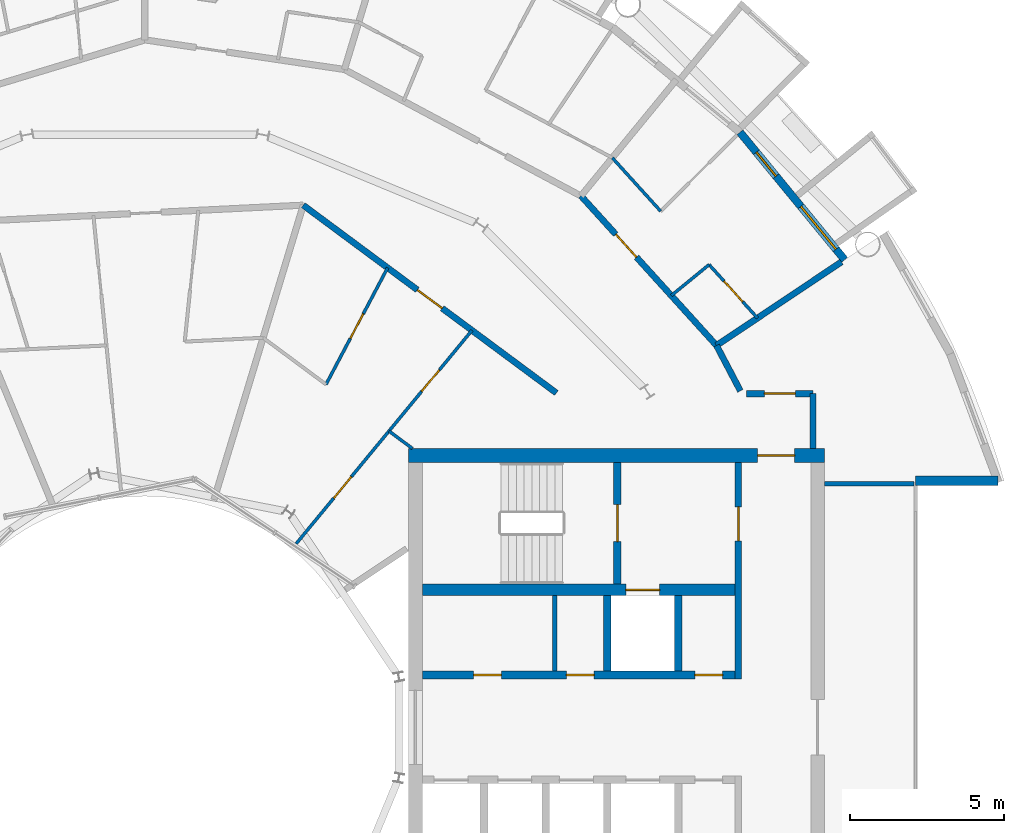
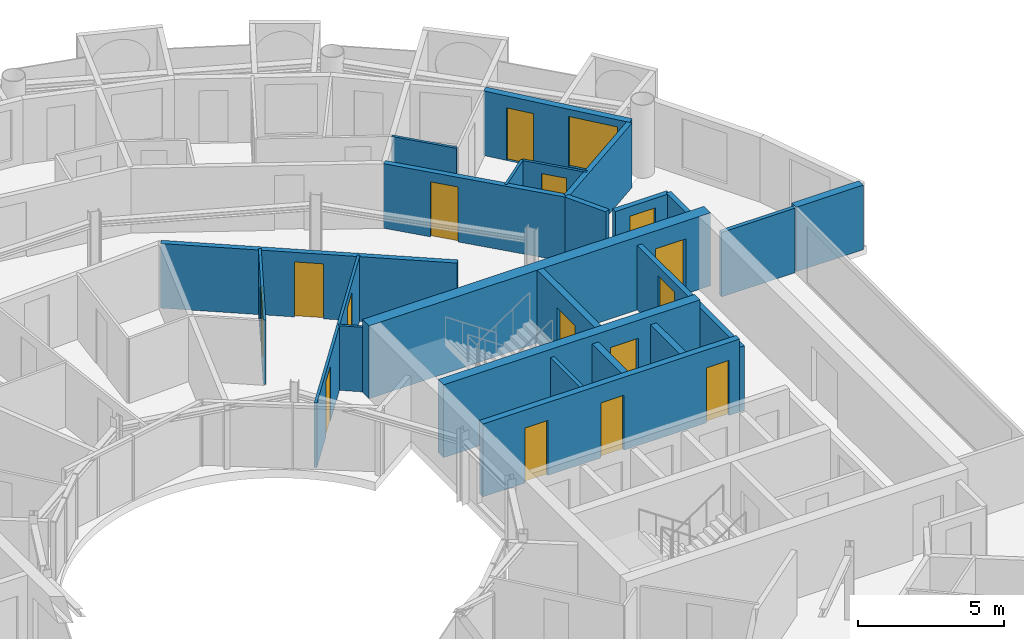
# One storey, part 23 of 29: 23 walls, 15 doors, 1 window, 16 openings.
"""IFC4 building model written with IfcOpenShell, lengths in metres."""

import ifcopenshell
import ifcopenshell.guid

model = None  # the IFC model being written
_history = None  # IfcOwnerHistory: only IFC2X3 demands one
_inside = {}  # id of a spatial element -> (the spatial element, [elements in it])
_under = {}  # id of a project, library or spatial element -> (it, [spatial elements below it])
_declared = {}  # id of a project -> (the project, [libraries it declares])
_typed = {}  # id of a type object -> (the type object, [elements of that type])
_made_of = {}  # id of a material, layer set ... -> (it, [elements and type objects made of it])


def new_model(schema):
    """Start an empty IFC model of exactly this schema.

    Asked for "IFC4X3", IfcOpenShell would pick the latest addendum, in which some entities
    have other attributes; the version numbers below select the first issue.
    IFC2X3 requires an IfcOwnerHistory on every rooted entity: one is made here for all.
    """
    global model, _history
    if schema == "IFC4X3":
        model = ifcopenshell.file(schema_version=(4, 3, 0, 0))
    else:
        model = ifcopenshell.file(schema=schema)
    _inside.clear()
    _under.clear()
    _declared.clear()
    _typed.clear()
    _made_of.clear()
    _history = None
    if model.schema == "IFC2X3":
        org = make("IfcOrganization", Name="unknown")
        user = make(
            "IfcPersonAndOrganization",
            ThePerson=make("IfcPerson", FamilyName="unknown"),
            TheOrganization=org,
        )
        app = make(
            "IfcApplication",
            ApplicationDeveloper=org,
            Version="unknown",
            ApplicationFullName="unknown",
            ApplicationIdentifier="unknown",
        )
        _history = make(
            "IfcOwnerHistory",
            OwningUser=user,
            OwningApplication=app,
            ChangeAction="ADDED",
            CreationDate=0,
        )
    return model


def make(cls, **values):
    """One entity of the class cls with the attributes given. An attribute that is None is left unset."""
    return model.create_entity(
        cls, **{name: value for name, value in values.items() if value is not None}
    )


def rooted(cls, **values):
    """An entity with a GlobalId (a new one), such as an element, a storey or a relation."""
    return make(cls, GlobalId=ifcopenshell.guid.new(), OwnerHistory=_history, **values)


def si_unit(unit_type, name, prefix=None):
    """IfcSIUnit, for example si_unit("LENGTHUNIT", "METRE", prefix="MILLI")."""
    return make("IfcSIUnit", UnitType=unit_type, Prefix=prefix, Name=name)


def assignment(units):
    """IfcUnitAssignment: the units of a project."""
    return None if units is None else make("IfcUnitAssignment", Units=units)


def point(xyz):
    """IfcCartesianPoint."""
    return None if xyz is None else make("IfcCartesianPoint", Coordinates=xyz)


def direction(xyz):
    """IfcDirection."""
    return None if xyz is None else make("IfcDirection", DirectionRatios=xyz)


def frame(location, z_axis=None, x_axis=None):
    """IfcAxis2Placement3D, a coordinate frame: its origin and axes. An axis left out is left unset."""
    return make(
        "IfcAxis2Placement3D",
        Location=point(location),
        Axis=direction(z_axis),
        RefDirection=direction(x_axis),
    )


def frame_2d(location, x_axis=None):
    """IfcAxis2Placement2D, a coordinate frame in the plane: its origin and x axis."""
    return make(
        "IfcAxis2Placement2D", Location=point(location), RefDirection=direction(x_axis)
    )


def origin():
    """The frame at (0, 0, 0) with its axes left unset."""
    return frame((0.0, 0.0, 0.0))


def place(relative_to, where):
    """IfcLocalPlacement: puts the frame where relative to a parent placement (None: the world)."""
    return make(
        "IfcLocalPlacement", PlacementRelTo=relative_to, RelativePlacement=where
    )


def context(
    kind, dimensions, precision=None, world=None, true_north=None, identifier=None
):
    """IfcGeometricRepresentationContext, for example the 3D "Model" context."""
    return make(
        "IfcGeometricRepresentationContext",
        ContextIdentifier=identifier,
        ContextType=kind,
        CoordinateSpaceDimension=dimensions,
        Precision=precision,
        WorldCoordinateSystem=world,
        TrueNorth=true_north,
    )


def subcontext(parent, identifier, kind, view, scale=None):
    """IfcGeometricRepresentationSubContext, for example "Body" below "Model"."""
    return make(
        "IfcGeometricRepresentationSubContext",
        ContextIdentifier=identifier,
        ContextType=kind,
        ParentContext=parent,
        TargetScale=scale,
        TargetView=view,
    )


def project(units=None, contexts=None):
    """IfcProject with its units and contexts."""
    return rooted(
        "IfcProject",
        Name="project",
        RepresentationContexts=contexts,
        UnitsInContext=assignment(units),
    )


def spatial(cls, under=None, at=None, **own):
    """A site, building, storey or space (cls), placed at a placement, below another one or the project."""
    s = rooted(cls, ObjectPlacement=at, **own)
    if under is not None:
        _under.setdefault(under.id(), (under, []))[1].append(s)
    return s


def profile(cls, at=None, kind="AREA", **sizes):
    """A parametric profile (cls). Its sizes go by their IFC names, for example OverallWidth=200.0."""
    return make(cls, ProfileType=kind, Position=at, **sizes)


def rectangle(**sizes):
    """IfcRectangleProfileDef."""
    return profile("IfcRectangleProfileDef", **sizes)


def extrude(swept, where, along, depth):
    """IfcExtrudedAreaSolid: the profile swept, set in the frame where, extruded along a direction by depth."""
    return make(
        "IfcExtrudedAreaSolid",
        SweptArea=swept,
        Position=where,
        ExtrudedDirection=direction(along),
        Depth=depth,
    )


def shape(context_of_items, identifier, shape_type, items):
    """IfcShapeRepresentation: the items that make up one representation, for example the "Body"."""
    return make(
        "IfcShapeRepresentation",
        ContextOfItems=context_of_items,
        RepresentationIdentifier=identifier,
        RepresentationType=shape_type,
        Items=items,
    )


def material(Name=None, Category=None):
    """IfcMaterial."""
    return make("IfcMaterial", Name=Name, Category=Category)


def layer(
    of_material, thickness, ventilated=None, Name=None, Category=None, Priority=None
):
    """IfcMaterialLayer: one layer of a wall or slab, of a material (None: an air gap)."""
    return make(
        "IfcMaterialLayer",
        Material=of_material,
        LayerThickness=thickness,
        IsVentilated=ventilated,
        Name=Name,
        Category=Category,
        Priority=Priority,
    )


def layer_set(layers, Name=None):
    """IfcMaterialLayerSet."""
    return make("IfcMaterialLayerSet", MaterialLayers=layers, LayerSetName=Name)


def made_of(thing, what):
    """Note that an element or type object is made of a material, layer set ...; save() writes the relation."""
    if what is not None:
        _made_of.setdefault(what.id(), (what, []))[1].append(thing)
    return thing


def type_object(cls, material=None, **own):
    """A type object (cls), such as IfcWallType, which elements share."""
    return made_of(rooted(cls, **own), material)


def element(
    cls,
    number,
    at=None,
    inside=None,
    cuts=None,
    type_object=None,
    material=None,
    context=None,
    identifier="Body",
    shape_type=None,
    held_by="IfcProductDefinitionShape",
    body=None,
    shapes=None,
    **own,
):
    """One element of the class cls, such as IfcWall. Its Tag is "e" and its number.

    at: its placement. inside: the storey or other place that contains it. cuts: it is an
    opening in that element (IfcRelVoidsElement). A single representation is given by context,
    identifier, shape_type and body (its items); several are given by shapes. held_by: the class
    of the entity that holds the representations. save() writes the other relations.
    """
    e = rooted(cls, Tag="e%d" % number, ObjectPlacement=at, **own)
    if body is not None:
        shapes = [shape(context, identifier, shape_type, body)]
    if shapes is not None:
        e.Representation = make(held_by, Representations=shapes)
    if inside is not None:
        _inside.setdefault(inside.id(), (inside, []))[1].append(e)
    if cuts is not None:
        rooted(
            "IfcRelVoidsElement", RelatingBuildingElement=cuts, RelatedOpeningElement=e
        )
    if type_object is not None:
        _typed.setdefault(type_object.id(), (type_object, []))[1].append(e)
    return made_of(e, material)


def fill(opening, filler):
    """IfcRelFillsElement: the door or window that sits in an opening."""
    return rooted(
        "IfcRelFillsElement",
        RelatingOpeningElement=opening,
        RelatedBuildingElement=filler,
    )


def aggregate(whole, parts):
    """IfcRelAggregates: a whole, such as a stair, and the parts it consists of."""
    return rooted("IfcRelAggregates", RelatingObject=whole, RelatedObjects=parts)


def save(model, path):
    """Write the relations noted so far, then the file.

    IfcRelAggregates (storeys below a building ...), IfcRelContainedInSpatialStructure (elements
    in a storey), IfcRelDefinesByType, IfcRelAssociatesMaterial and IfcRelDeclares: one each for
    every whole, place, type object, material and project.
    """
    for whole, parts in _under.values():
        aggregate(whole, parts)
    for where, things in _inside.values():
        rooted(
            "IfcRelContainedInSpatialStructure",
            RelatedElements=things,
            RelatingStructure=where,
        )
    for kind, things in _typed.values():
        rooted("IfcRelDefinesByType", RelatedObjects=things, RelatingType=kind)
    for what, things in _made_of.values():
        rooted("IfcRelAssociatesMaterial", RelatedObjects=things, RelatingMaterial=what)
    for by, libraries in _declared.values():
        rooted("IfcRelDeclares", RelatingContext=by, RelatedDefinitions=libraries)
    model.write(path)


model = new_model("IFC4")

# Units and contexts
model_context = context("Model", 3, precision=1e-05, world=origin(), true_north=direction((0.0, 1.0)))
body_context = subcontext(model_context, "Body", "Model", "MODEL_VIEW")
ifc_project = project(units=[si_unit("LENGTHUNIT", "METRE"), si_unit("AREAUNIT", "SQUARE_METRE"), si_unit("VOLUMEUNIT", "CUBIC_METRE"), si_unit("PLANEANGLEUNIT", "RADIAN"), si_unit("MASSUNIT", "GRAM", prefix="KILO")], contexts=[model_context])

# Site, building, storey
site_placement = place(None, origin())
site = spatial("IfcSite", under=ifc_project, at=site_placement, CompositionType="ELEMENT")
building_placement = place(site_placement, origin())
building = spatial("IfcBuilding", under=site, at=building_placement, Name="Maasbend Ring Residences", CompositionType="ELEMENT")
storey_placement = place(building_placement, frame((0.0, 0.0, 202.39990234375)))
storey = spatial("IfcBuildingStorey", under=building, at=storey_placement, Name="L58", CompositionType="ELEMENT", Elevation=202.39990234375)

# Wall, openings, doors
ifc_material_1 = material(Name="Concrete C50/60", Category="concrete")
ifc_layer_1 = layer(ifc_material_1, 0.25)
ifc_layer_set_1 = layer_set([ifc_layer_1], Name="Concrete C50/60")
wall_type_1 = type_object("IfcWallType", Name="CORE WALL 250 C50/60", PredefinedType="SHEAR", material=ifc_layer_set_1)
wall_1_placement = place(storey_placement, frame((9.0, 1.699951171875, 0.0), z_axis=(0.0, 0.0, 1.0), x_axis=(1.0, 0.0, 0.0)))
wall_1 = element("IfcWall", 1, at=wall_1_placement, inside=storey, type_object=wall_type_1, Name="L58 core E wall SPN", PredefinedType="SHEAR", context=body_context, shape_type="SweptSolid", body=[
    extrude(rectangle(XDim=10.14990234375, YDim=0.25, at=frame_2d((5.074951171875, 0.0))), origin(), (0.0, 0.0, 1.0), 3.050048828125),
])
opening_1_placement = place(wall_1_placement, frame((1.66259765625, 0.0, 0.0)))
opening_1 = element("IfcOpeningElement", 2, at=opening_1_placement, cuts=wall_1, Name="Opening D-E5806", PredefinedType="OPENING", context=body_context, shape_type="SweptSolid", body=[
    extrude(rectangle(XDim=0.89990234375, YDim=2.300048828125, at=frame_2d((0.449951171875, 1.14990234375))), frame((0.0, 0.135009765625, 0.0), z_axis=(0.0, -1.0, 0.0), x_axis=(1.0, 0.0, 0.0)), (0.0, 0.0, 1.0), 0.27001953125),
])
opening_2_placement = place(wall_1_placement, frame((4.675048828125, 0.0, 0.0)))
opening_2 = element("IfcOpeningElement", 3, at=opening_2_placement, cuts=wall_1, Name="Opening D-E5807", PredefinedType="OPENING", context=body_context, shape_type="SweptSolid", body=[
    extrude(rectangle(XDim=0.89990234375, YDim=2.300048828125, at=frame_2d((0.449951171875, 1.14990234375))), frame((0.0, 0.135009765625, 0.0), z_axis=(0.0, -1.0, 0.0), x_axis=(1.0, 0.0, 0.0)), (0.0, 0.0, 1.0), 0.27001953125),
])
opening_3_placement = place(wall_1_placement, frame((8.83740234375, 0.0, 0.0)))
opening_3 = element("IfcOpeningElement", 4, at=opening_3_placement, cuts=wall_1, Name="Opening D-E5808", PredefinedType="OPENING", context=body_context, shape_type="SweptSolid", body=[
    extrude(rectangle(XDim=0.89990234375, YDim=2.300048828125, at=frame_2d((0.449951171875, 1.14990234375))), frame((0.0, 0.135009765625, 0.0), z_axis=(0.0, -1.0, 0.0), x_axis=(1.0, 0.0, 0.0)), (0.0, 0.0, 1.0), 0.27001953125),
])
ifc_material_2 = material(Name="Steel, powder coated", Category="steel")
door_type_1 = type_object("IfcDoorType", Name="ROOM DOOR 900 X 2300 FD30S", OperationType="NOTDEFINED", PredefinedType="DOOR", material=ifc_material_2)
door_1_placement = place(opening_1_placement, origin())
door_1 = element("IfcDoor", 5, at=door_1_placement, inside=storey, type_object=door_type_1, Name="Room door L58", OperationType="SINGLE_SWING_RIGHT", OverallHeight=2.300048828125, OverallWidth=0.89990234375, PredefinedType="DOOR", context=body_context, shape_type="SweptSolid", body=[
    extrude(rectangle(XDim=0.89990234375, YDim=2.300048828125, at=frame_2d((0.449951171875, 1.14990234375))), frame((0.0, 0.02490234375, 0.0), z_axis=(0.0, -1.0, 0.0), x_axis=(1.0, 0.0, 0.0)), (0.0, 0.0, 1.0), 0.050048828125),
])
fill(opening_1, door_1)
door_2_placement = place(opening_2_placement, origin())
door_2 = element("IfcDoor", 6, at=door_2_placement, inside=storey, type_object=door_type_1, Name="Room door L58", OperationType="SINGLE_SWING_LEFT", OverallHeight=2.300048828125, OverallWidth=0.89990234375, PredefinedType="DOOR", context=body_context, shape_type="SweptSolid", body=[
    extrude(rectangle(XDim=0.89990234375, YDim=2.300048828125, at=frame_2d((0.449951171875, 1.14990234375))), frame((0.0, 0.02490234375, 0.0), z_axis=(0.0, -1.0, 0.0), x_axis=(1.0, 0.0, 0.0)), (0.0, 0.0, 1.0), 0.050048828125),
])
fill(opening_2, door_2)
door_3_placement = place(opening_3_placement, origin())
door_3 = element("IfcDoor", 7, at=door_3_placement, inside=storey, type_object=door_type_1, Name="Room door L58", OperationType="SINGLE_SWING_LEFT", OverallHeight=2.300048828125, OverallWidth=0.89990234375, PredefinedType="DOOR", context=body_context, shape_type="SweptSolid", body=[
    extrude(rectangle(XDim=0.89990234375, YDim=2.300048828125, at=frame_2d((0.449951171875, 1.14990234375))), frame((0.0, 0.02490234375, 0.0), z_axis=(0.0, -1.0, 0.0), x_axis=(1.0, 0.0, 0.0)), (0.0, 0.0, 1.0), 0.050048828125),
])
fill(opening_3, door_3)

# Wall, opening, door
wall_2_placement = place(storey_placement, frame((15.324951171875, 4.64990234375, 0.0), z_axis=(0.0, 0.0, 1.0), x_axis=(0.0, 1.0, 0.0)))
wall_2 = element("IfcWall", 8, at=wall_2_placement, inside=storey, type_object=wall_type_1, Name="L58 core E wall STEN", PredefinedType="SHEAR", context=body_context, shape_type="SweptSolid", body=[
    extrude(rectangle(XDim=3.9501953125, YDim=0.25, at=frame_2d((1.97509765625, 0.0))), origin(), (0.0, 0.0, 1.0), 3.050048828125),
])
opening_4_placement = place(wall_2_placement, frame((1.375, 0.0, 0.0)))
opening_4 = element("IfcOpeningElement", 9, at=opening_4_placement, cuts=wall_2, Name="Opening D-E5811", PredefinedType="OPENING", context=body_context, shape_type="SweptSolid", body=[
    extrude(rectangle(XDim=1.199951171875, YDim=2.300048828125, at=frame_2d((0.60009765625, 1.14990234375))), frame((0.0, 0.135009765625, 0.0), z_axis=(0.0, -1.0, 0.0), x_axis=(1.0, 0.0, 0.0)), (0.0, 0.0, 1.0), 0.27001953125),
])
ifc_material_3 = material(Name="Steel, powder coated", Category="steel")
door_type_2 = type_object("IfcDoorType", Name="STAIR DOOR 1200 X 2300 FD60", OperationType="NOTDEFINED", PredefinedType="DOOR", material=ifc_material_3)
door_4_placement = place(opening_4_placement, origin())
door_4 = element("IfcDoor", 10, at=door_4_placement, inside=storey, type_object=door_type_2, Name="Stair door ST-E L58", OperationType="SINGLE_SWING_LEFT", OverallHeight=2.300048828125, OverallWidth=1.199951171875, PredefinedType="DOOR", context=body_context, shape_type="SweptSolid", body=[
    extrude(rectangle(XDim=1.199951171875, YDim=2.300048828125, at=frame_2d((0.60009765625, 1.14990234375))), frame((0.0, 0.02490234375, 0.0), z_axis=(0.0, -1.0, 0.0), x_axis=(1.0, 0.0, 0.0)), (0.0, 0.0, 1.0), 0.050048828125),
])
fill(opening_4, door_4)

ifc_material_4 = material(Name="Concrete C50/60", Category="concrete")
ifc_layer_2 = layer(ifc_material_4, 0.375)
ifc_layer_set_2 = layer_set([ifc_layer_2], Name="Concrete C50/60")
wall_type_2 = type_object("IfcWallType", Name="CORE WALL 375 C50/60", PredefinedType="SHEAR", material=ifc_layer_set_2)
wall_3_placement = place(storey_placement, frame((9.0, 4.46240234375, 0.0), z_axis=(0.0, 0.0, 1.0), x_axis=(1.0, 0.0, 0.0)))
wall_3 = element("IfcWall", 11, at=wall_3_placement, inside=storey, type_object=wall_type_2, Name="L58 core E wall BN", PredefinedType="SHEAR", context=body_context, shape_type="SweptSolid", body=[
    extrude(rectangle(XDim=10.14990234375, YDim=0.375, at=frame_2d((5.074951171875, 0.0))), origin(), (0.0, 0.0, 1.0), 3.050048828125),
])
opening_5_placement = place(wall_3_placement, frame((6.60009765625, 0.0, 0.0)))
opening_5 = element("IfcOpeningElement", 12, at=opening_5_placement, cuts=wall_3, Name="Opening LD-E5801", PredefinedType="OPENING", context=body_context, shape_type="SweptSolid", body=[
    extrude(rectangle(XDim=1.10009765625, YDim=2.300048828125, at=frame_2d((0.550048828125, 1.14990234375))), frame((0.0, 0.197509765625, 0.0), z_axis=(0.0, -1.0, 0.0), x_axis=(1.0, 0.0, 0.0)), (0.0, 0.0, 1.0), 0.39501953125),
])
ifc_material_5 = material(Name="Stainless steel 316", Category="steel")
door_type_3 = type_object("IfcDoorType", Name="LANDING DOOR 1100 X 2300 FD60", OperationType="DOUBLE_DOOR_SLIDING", PredefinedType="DOOR", material=ifc_material_5)
door_5_placement = place(opening_5_placement, origin())
door_5 = element("IfcDoor", 13, at=door_5_placement, inside=storey, type_object=door_type_3, Name="Landing door FF-E L58", OperationType="DOUBLE_DOOR_SLIDING", OverallHeight=2.300048828125, OverallWidth=1.10009765625, PredefinedType="DOOR", context=body_context, shape_type="SweptSolid", body=[
    extrude(rectangle(XDim=1.10009765625, YDim=2.300048828125, at=frame_2d((0.550048828125, 1.14990234375))), frame((0.0, 0.02490234375, 0.0), z_axis=(0.0, -1.0, 0.0), x_axis=(1.0, 0.0, 0.0)), (0.0, 0.0, 1.0), 0.050048828125),
])
fill(opening_5, door_5)

ifc_material_6 = material(Name="Concrete C50/60", Category="concrete")
ifc_layer_3 = layer(ifc_material_6, 0.449951171875)
ifc_layer_set_3 = layer_set([ifc_layer_3], Name="Concrete C50/60")
wall_type_3 = type_object("IfcWallType", Name="CORE WALL 450 C50/60", PredefinedType="SHEAR", material=ifc_layer_set_3)
wall_4_placement = place(storey_placement, frame((22.050048828125, 8.824951171875, 0.0), z_axis=(0.0, 0.0, 1.0), x_axis=(-1.0, 0.0, 0.0)))
wall_4 = element("IfcWall", 14, at=wall_4_placement, inside=storey, type_object=wall_type_3, Name="L58 core E wall PN", PredefinedType="SHEAR", context=body_context, shape_type="SweptSolid", body=[
    extrude(rectangle(XDim=13.5, YDim=0.449951171875, at=frame_2d((6.75, 0.0))), origin(), (0.0, 0.0, 1.0), 3.050048828125),
])
opening_6_placement = place(wall_4_placement, frame((0.97509765625, 0.0, 0.0)))
opening_6 = element("IfcOpeningElement", 15, at=opening_6_placement, cuts=wall_4, Name="Opening D-E5815", PredefinedType="OPENING", context=body_context, shape_type="SweptSolid", body=[
    extrude(rectangle(XDim=1.199951171875, YDim=2.300048828125, at=frame_2d((0.60009765625, 1.14990234375))), frame((0.0, 0.23486328125, 0.0), z_axis=(0.0, -1.0, 0.0), x_axis=(1.0, 0.0, 0.0)), (0.0, 0.0, 1.0), 0.469970703125),
])
ifc_material_7 = material(Name="Steel, powder coated", Category="steel")
door_type_4 = type_object("IfcDoorType", Name="CORRIDOR DOOR 1200 X 2300 FD30S", OperationType="NOTDEFINED", PredefinedType="DOOR", material=ifc_material_7)
door_6_placement = place(opening_6_placement, origin())
door_6 = element("IfcDoor", 16, at=door_6_placement, inside=storey, type_object=door_type_4, Name="Corridor door L58", OperationType="SINGLE_SWING_RIGHT", OverallHeight=2.300048828125, OverallWidth=1.199951171875, PredefinedType="DOOR", context=body_context, shape_type="SweptSolid", body=[
    extrude(rectangle(XDim=1.199951171875, YDim=2.300048828125, at=frame_2d((0.60009765625, 1.14990234375))), frame((0.0, 0.02490234375, 0.0), z_axis=(0.0, -1.0, 0.0), x_axis=(1.0, 0.0, 0.0)), (0.0, 0.0, 1.0), 0.050048828125),
])
fill(opening_6, door_6)

# Wall
ifc_material_8 = material(Name="Concrete C30/37", Category="concrete")
ifc_layer_4 = layer(ifc_material_8, 0.199951171875)
ifc_layer_set_4 = layer_set([ifc_layer_4], Name="Concrete C30/37")
wall_type_4 = type_object("IfcWallType", Name="CORRIDOR WALL 200 CONCRETE", PredefinedType="PARTITIONING", material=ifc_layer_set_4)
wall_5_placement = place(storey_placement, frame((21.675048828125, 9.050048828125, 0.0), z_axis=(0.0, 0.0, 1.0), x_axis=(0.0, 1.0, 0.0)))
element("IfcWall", 17, at=wall_5_placement, inside=storey, type_object=wall_type_4, Name="U-L58-w013", PredefinedType="PARTITIONING", context=body_context, shape_type="SweptSolid", body=[
    extrude(rectangle(XDim=1.77490234375, YDim=0.199951171875, at=frame_2d((0.887451171875, 0.0))), origin(), (0.0, 0.0, 1.0), 2.7001953125),
])

# Wall, opening, door
wall_6_placement = place(storey_placement, frame((19.52294921875, 10.824951171875, 0.0), z_axis=(0.0, 0.0, 1.0), x_axis=(1.0, 0.0, 0.0)))
wall_6 = element("IfcWall", 18, at=wall_6_placement, inside=storey, type_object=wall_type_4, Name="U-L58-w094", PredefinedType="PARTITIONING", context=body_context, shape_type="SweptSolid", body=[
    extrude(rectangle(XDim=2.152099609375, YDim=0.199951171875, at=frame_2d((1.076171875, 0.0))), origin(), (0.0, 0.0, 1.0), 2.7001953125),
])
opening_7_placement = place(wall_6_placement, frame((0.575927734375, 0.0, 0.0)))
opening_7 = element("IfcOpeningElement", 19, at=opening_7_placement, cuts=wall_6, Name="Opening D-5871", PredefinedType="OPENING", context=body_context, shape_type="SweptSolid", body=[
    extrude(rectangle(XDim=1.0, YDim=2.300048828125, at=frame_2d((0.5, 1.14990234375))), frame((0.0, 0.10986328125, 0.0), z_axis=(0.0, -1.0, 0.0), x_axis=(1.0, 0.0, 0.0)), (0.0, 0.0, 1.0), 0.219970703125),
])
ifc_material_9 = material(Name="Timber, painted", Category="wood")
door_type_5 = type_object("IfcDoorType", Name="ROOM DOOR 1000 X 2300", OperationType="NOTDEFINED", PredefinedType="DOOR", material=ifc_material_9)
door_7_placement = place(opening_7_placement, origin())
door_7 = element("IfcDoor", 20, at=door_7_placement, inside=storey, type_object=door_type_5, Name="D-5871", OperationType="SINGLE_SWING_LEFT", OverallHeight=2.300048828125, OverallWidth=1.0, PredefinedType="DOOR", context=body_context, shape_type="SweptSolid", body=[
    extrude(rectangle(XDim=1.0, YDim=2.300048828125, at=frame_2d((0.5, 1.14990234375))), frame((0.0, 0.02490234375, 0.0), z_axis=(0.0, -1.0, 0.0), x_axis=(1.0, 0.0, 0.0)), (0.0, 0.0, 1.0), 0.050048828125),
])
fill(opening_7, door_7)

wall_7_placement = place(storey_placement, frame((5.136962890625, 16.93798828125, 0.0), z_axis=(0.0, 0.0, 1.0), x_axis=(0.803229232922, -0.595670042371, 0.0)))
wall_7 = element("IfcWall", 21, at=wall_7_placement, inside=storey, type_object=wall_type_4, Name="U-L58-w102", PredefinedType="PARTITIONING", context=body_context, shape_type="SweptSolid", body=[
    extrude(rectangle(XDim=10.223876953125, YDim=0.199951171875, at=frame_2d((5.11181640625, 0.0))), origin(), (0.0, 0.0, 1.0), 2.7001953125),
])
opening_8_placement = place(wall_7_placement, frame((4.612060546875, 0.0, 0.0)))
opening_8 = element("IfcOpeningElement", 22, at=opening_8_placement, cuts=wall_7, Name="Opening D-5821", PredefinedType="OPENING", context=body_context, shape_type="SweptSolid", body=[
    extrude(rectangle(XDim=1.0, YDim=2.300048828125, at=frame_2d((0.5, 1.14990234375))), frame((0.0, 0.10986328125, 0.0), z_axis=(0.0, -1.0, 0.0), x_axis=(1.0, 0.0, 0.0)), (0.0, 0.0, 1.0), 0.219970703125),
])
ifc_material_10 = material(Name="Timber, fire-rated, painted", Category="wood")
door_type_6 = type_object("IfcDoorType", Name="FLAT ENTRANCE DOOR 1000 X 2300 FIRE-RATED", OperationType="NOTDEFINED", PredefinedType="DOOR", material=ifc_material_10)
door_8_placement = place(opening_8_placement, origin())
door_8 = element("IfcDoor", 23, at=door_8_placement, inside=storey, type_object=door_type_6, Name="D-5821", OperationType="SINGLE_SWING_RIGHT", OverallHeight=2.300048828125, OverallWidth=1.0, PredefinedType="DOOR", context=body_context, shape_type="SweptSolid", body=[
    extrude(rectangle(XDim=1.0, YDim=2.300048828125, at=frame_2d((0.5, 1.14990234375))), frame((0.0, 0.02490234375, 0.0), z_axis=(0.0, -1.0, 0.0), x_axis=(1.0, 0.0, 0.0)), (0.0, 0.0, 1.0), 0.050048828125),
])
fill(opening_8, door_8)

wall_8_placement = place(storey_placement, frame((14.14697265625, 17.238037109375, 0.0), z_axis=(0.0, 0.0, 1.0), x_axis=(0.671561669125, -0.740948665268, 0.0)))
wall_8 = element("IfcWall", 24, at=wall_8_placement, inside=storey, type_object=wall_type_4, Name="U-L58-w110", PredefinedType="PARTITIONING", context=body_context, shape_type="SweptSolid", body=[
    extrude(rectangle(XDim=6.54443359375, YDim=0.199951171875, at=frame_2d((3.272216796875, 0.0))), origin(), (0.0, 0.0, 1.0), 2.7001953125),
])
opening_9_placement = place(wall_8_placement, frame((1.681884765625, 0.0, 0.0)))
opening_9 = element("IfcOpeningElement", 25, at=opening_9_placement, cuts=wall_8, Name="Opening D-5801", PredefinedType="OPENING", context=body_context, shape_type="SweptSolid", body=[
    extrude(rectangle(XDim=1.0, YDim=2.300048828125, at=frame_2d((0.5, 1.14990234375))), frame((0.0, 0.10986328125, 0.0), z_axis=(0.0, -1.0, 0.0), x_axis=(1.0, 0.0, 0.0)), (0.0, 0.0, 1.0), 0.219970703125),
])
door_9_placement = place(opening_9_placement, origin())
door_9 = element("IfcDoor", 26, at=door_9_placement, inside=storey, type_object=door_type_6, Name="D-5801", OperationType="SINGLE_SWING_LEFT", OverallHeight=2.300048828125, OverallWidth=1.0, PredefinedType="DOOR", context=body_context, shape_type="SweptSolid", body=[
    extrude(rectangle(XDim=1.0, YDim=2.300048828125, at=frame_2d((0.5, 1.14990234375))), frame((0.0, 0.02490234375, 0.0), z_axis=(0.0, -1.0, 0.0), x_axis=(1.0, 0.0, 0.0)), (0.0, 0.0, 1.0), 0.050048828125),
])
fill(opening_9, door_9)

# Wall
wall_9_placement = place(storey_placement, frame((18.5419921875, 12.388916015625, 0.0), z_axis=(0.0, 0.0, 1.0), x_axis=(0.465359652486, -0.885121683068, 0.0)))
element("IfcWall", 27, at=wall_9_placement, inside=storey, type_object=wall_type_4, Name="U-L58-w112", PredefinedType="PARTITIONING", context=body_context, shape_type="SweptSolid", body=[
    extrude(rectangle(XDim=1.665283203125, YDim=0.199951171875, at=frame_2d((0.83251953125, 0.0))), origin(), (0.0, 0.0, 1.0), 2.7001953125),
])

# Wall, openings, door, window
ifc_material_11 = material(Name="Aluminium clad insulated panel", Category="aluminium")
ifc_layer_5 = layer(ifc_material_11, 0.25)
ifc_layer_set_5 = layer_set([ifc_layer_5], Name="EW-GL")
wall_type_5 = type_object("IfcWallType", Name="EW-GL", PredefinedType="SOLIDWALL", material=ifc_layer_set_5)
wall_10_placement = place(storey_placement, frame((22.698974609375, 15.1669921875, 0.0), z_axis=(0.0, 0.0, 1.0), x_axis=(-0.634382322723, 0.773019449054, 0.0)))
wall_10 = element("IfcWall", 28, at=wall_10_placement, inside=storey, type_object=wall_type_5, Name="External wall N01", PredefinedType="SOLIDWALL", context=body_context, shape_type="SweptSolid", body=[
    extrude(rectangle(XDim=5.351806640625, YDim=0.25, at=frame_2d((2.67578125, 0.0))), origin(), (0.0, 0.0, 1.0), 2.7001953125),
])
opening_10_placement = place(wall_10_placement, frame((0.441162109375, 0.0, 0.300048828125)))
opening_10 = element("IfcOpeningElement", 29, at=opening_10_placement, cuts=wall_10, Name="Opening W-BX", PredefinedType="OPENING", context=body_context, shape_type="SweptSolid", body=[
    extrude(rectangle(XDim=1.800048828125, YDim=2.10009765625, at=frame_2d((0.89990234375, 1.050048828125))), frame((0.0, 0.135009765625, 0.0), z_axis=(0.0, -1.0, 0.0), x_axis=(1.0, 0.0, 0.0)), (0.0, 0.0, 1.0), 0.27001953125),
])
opening_11_placement = place(wall_10_placement, frame((3.510498046875, 0.0, 0.0)))
opening_11 = element("IfcOpeningElement", 30, at=opening_11_placement, cuts=wall_10, Name="Opening D-LG", PredefinedType="OPENING", context=body_context, shape_type="SweptSolid", body=[
    extrude(rectangle(XDim=1.0, YDim=2.199951171875, at=frame_2d((0.5, 1.10009765625))), frame((0.0, 0.135009765625, 0.0), z_axis=(0.0, -1.0, 0.0), x_axis=(1.0, 0.0, 0.0)), (0.0, 0.0, 1.0), 0.27001953125),
])
ifc_material_12 = material(Name="Aluminium and clear glass", Category="aluminium")
door_type_7 = type_object("IfcDoorType", Name="D-LG", OperationType="SINGLE_SWING_LEFT", PredefinedType="DOOR", material=ifc_material_12)
door_10_placement = place(opening_11_placement, origin())
door_10 = element("IfcDoor", 31, at=door_10_placement, inside=storey, type_object=door_type_7, Name="Loggia door N02", OperationType="SINGLE_SWING_LEFT", OverallHeight=2.199951171875, OverallWidth=1.0, PredefinedType="DOOR", context=body_context, shape_type="SweptSolid", body=[
    extrude(rectangle(XDim=1.0, YDim=2.199951171875, at=frame_2d((0.5, 1.10009765625))), frame((0.0, 0.02490234375, 0.0), z_axis=(0.0, -1.0, 0.0), x_axis=(1.0, 0.0, 0.0)), (0.0, 0.0, 1.0), 0.050048828125),
])
fill(opening_11, door_10)
ifc_material_13 = material(Name="Aluminium and clear glass", Category="aluminium")
window_type = type_object("IfcWindowType", Name="W-BX", PartitioningType="DOUBLE_PANEL_VERTICAL", PredefinedType="WINDOW", material=ifc_material_13)
window_placement = place(opening_10_placement, origin())
window = element("IfcWindow", 32, at=window_placement, inside=storey, type_object=window_type, Name="Window N01 room to box", OverallHeight=2.10009765625, OverallWidth=1.800048828125, PartitioningType="SINGLE_PANEL", PredefinedType="WINDOW", context=body_context, shape_type="SweptSolid", body=[
    extrude(rectangle(XDim=1.800048828125, YDim=2.10009765625, at=frame_2d((0.89990234375, 1.050048828125))), frame((0.0, 0.030029296875, 0.0), z_axis=(0.0, -1.0, 0.0), x_axis=(1.0, 0.0, 0.0)), (0.0, 0.0, 1.0), 0.06005859375),
])
fill(opening_10, window)

# Wall
ifc_material_14 = material(Name="Aluminium clad insulated panel", Category="aluminium")
ifc_layer_6 = layer(ifc_material_14, 0.300048828125)
ifc_layer_set_6 = layer_set([ifc_layer_6], Name="EW-RET")
wall_type_6 = type_object("IfcWallType", Name="EW-RET", PredefinedType="SOLIDWALL", material=ifc_layer_set_6)
wall_11_placement = place(storey_placement, frame((25.0, 8.0, 0.0), z_axis=(0.0, 0.0, 1.0), x_axis=(1.0, 0.0, 0.0)))
element("IfcWall", 33, at=wall_11_placement, inside=storey, type_object=wall_type_6, Name="Notch return wall east north", PredefinedType="SOLIDWALL", context=body_context, shape_type="SweptSolid", body=[
    extrude(rectangle(XDim=2.6669921875, YDim=0.300048828125, at=frame_2d((1.33349609375, 0.0))), origin(), (0.0, 0.0, 1.0), 2.7001953125),
])

# Wall, openings, doors
ifc_material_15 = material(Name="Gypsum board on steel studs", Category="steel")
ifc_layer_7 = layer(ifc_material_15, 0.10009765625)
ifc_layer_set_7 = layer_set([ifc_layer_7], Name="PARTITION 100 GYPSUM")
wall_type_7 = type_object("IfcWallType", Name="PARTITION 100 GYPSUM", PredefinedType="PARTITIONING", material=ifc_layer_set_7)
wall_12_placement = place(storey_placement, frame((4.908935546875, 5.9580078125, 0.0), z_axis=(0.0, 0.0, 1.0), x_axis=(0.635879010442, 0.771788756124, 0.0)))
wall_12 = element("IfcWall", 34, at=wall_12_placement, inside=storey, type_object=wall_type_7, Name="U-L58-w072", PredefinedType="PARTITIONING", context=body_context, shape_type="SweptSolid", body=[
    extrude(rectangle(XDim=8.96728515625, YDim=0.10009765625, at=frame_2d((4.483642578125, 0.0))), origin(), (0.0, 0.0, 1.0), 2.7001953125),
])
opening_12_placement = place(wall_12_placement, frame((6.39990234375, 0.0, 0.0)))
opening_12 = element("IfcOpeningElement", 35, at=opening_12_placement, cuts=wall_12, Name="Opening D-5823", PredefinedType="OPENING", context=body_context, shape_type="SweptSolid", body=[
    extrude(rectangle(XDim=0.89990234375, YDim=2.300048828125, at=frame_2d((0.449951171875, 1.14990234375))), frame((0.0, 0.06005859375, 0.0), z_axis=(0.0, -1.0, 0.0), x_axis=(1.0, 0.0, 0.0)), (0.0, 0.0, 1.0), 0.1201171875),
])
opening_13_placement = place(wall_12_placement, frame((1.9169921875, 0.0, 0.0)))
opening_13 = element("IfcOpeningElement", 36, at=opening_13_placement, cuts=wall_12, Name="Opening D-5824", PredefinedType="OPENING", context=body_context, shape_type="SweptSolid", body=[
    extrude(rectangle(XDim=0.89990234375, YDim=2.300048828125, at=frame_2d((0.449951171875, 1.14990234375))), frame((0.0, 0.06005859375, 0.0), z_axis=(0.0, -1.0, 0.0), x_axis=(1.0, 0.0, 0.0)), (0.0, 0.0, 1.0), 0.1201171875),
])
ifc_material_16 = material(Name="Timber, painted", Category="wood")
door_type_8 = type_object("IfcDoorType", Name="INTERNAL DOOR 900 X 2300", OperationType="NOTDEFINED", PredefinedType="DOOR", material=ifc_material_16)
door_11_placement = place(opening_12_placement, origin())
door_11 = element("IfcDoor", 37, at=door_11_placement, inside=storey, type_object=door_type_8, Name="D-5823", OperationType="SINGLE_SWING_RIGHT", OverallHeight=2.300048828125, OverallWidth=0.89990234375, PredefinedType="DOOR", context=body_context, shape_type="SweptSolid", body=[
    extrude(rectangle(XDim=0.89990234375, YDim=2.300048828125, at=frame_2d((0.449951171875, 1.14990234375))), frame((0.0, 0.02490234375, 0.0), z_axis=(0.0, -1.0, 0.0), x_axis=(1.0, 0.0, 0.0)), (0.0, 0.0, 1.0), 0.050048828125),
])
fill(opening_12, door_11)
door_12_placement = place(opening_13_placement, origin())
door_12 = element("IfcDoor", 38, at=door_12_placement, inside=storey, type_object=door_type_8, Name="D-5824", OperationType="SINGLE_SWING_LEFT", OverallHeight=2.300048828125, OverallWidth=0.89990234375, PredefinedType="DOOR", context=body_context, shape_type="SweptSolid", body=[
    extrude(rectangle(XDim=0.89990234375, YDim=2.300048828125, at=frame_2d((0.449951171875, 1.14990234375))), frame((0.0, 0.02490234375, 0.0), z_axis=(0.0, -1.0, 0.0), x_axis=(1.0, 0.0, 0.0)), (0.0, 0.0, 1.0), 0.050048828125),
])
fill(opening_13, door_12)

# Wall, opening, door
wall_13_placement = place(storey_placement, frame((5.876953125, 11.125, 0.0), z_axis=(0.0, 0.0, 1.0), x_axis=(0.467030118529, 0.884241408432, 0.0)))
wall_13 = element("IfcWall", 39, at=wall_13_placement, inside=storey, type_object=wall_type_7, Name="U-L58-w073", PredefinedType="PARTITIONING", context=body_context, shape_type="SweptSolid", body=[
    extrude(rectangle(XDim=4.278076171875, YDim=0.10009765625, at=frame_2d((2.13916015625, 0.0))), origin(), (0.0, 0.0, 1.0), 2.7001953125),
])
opening_14_placement = place(wall_13_placement, frame((1.68896484375, 0.0, 0.0)))
opening_14 = element("IfcOpeningElement", 40, at=opening_14_placement, cuts=wall_13, Name="Opening D-5822", PredefinedType="OPENING", context=body_context, shape_type="SweptSolid", body=[
    extrude(rectangle(XDim=0.89990234375, YDim=2.300048828125, at=frame_2d((0.449951171875, 1.14990234375))), frame((0.0, 0.06005859375, 0.0), z_axis=(0.0, -1.0, 0.0), x_axis=(1.0, 0.0, 0.0)), (0.0, 0.0, 1.0), 0.1201171875),
])
door_13_placement = place(opening_14_placement, origin())
door_13 = element("IfcDoor", 41, at=door_13_placement, inside=storey, type_object=door_type_8, Name="D-5822", OperationType="SINGLE_SWING_RIGHT", OverallHeight=2.300048828125, OverallWidth=0.89990234375, PredefinedType="DOOR", context=body_context, shape_type="SweptSolid", body=[
    extrude(rectangle(XDim=0.89990234375, YDim=2.300048828125, at=frame_2d((0.449951171875, 1.14990234375))), frame((0.0, 0.02490234375, 0.0), z_axis=(0.0, -1.0, 0.0), x_axis=(1.0, 0.0, 0.0)), (0.0, 0.0, 1.0), 0.050048828125),
])
fill(opening_14, door_13)

# Walls
wall_14_placement = place(storey_placement, frame((17.076904296875, 14.006103515625, 0.0), z_axis=(0.0, 0.0, 1.0), x_axis=(0.773476341377, 0.633825172528, 0.0)))
element("IfcWall", 42, at=wall_14_placement, inside=storey, type_object=wall_type_7, Name="U-L58-w090", PredefinedType="PARTITIONING", context=body_context, shape_type="SweptSolid", body=[
    extrude(rectangle(XDim=1.583984375, YDim=0.10009765625, at=frame_2d((0.7919921875, 0.0))), origin(), (0.0, 0.0, 1.0), 2.7001953125),
])
wall_15_placement = place(storey_placement, frame((7.922119140625, 9.60888671875, 0.0), z_axis=(0.0, 0.0, 1.0), x_axis=(0.802974061841, -0.596013972999, 0.0)))
element("IfcWall", 43, at=wall_15_placement, inside=storey, type_object=wall_type_7, Name="U-L58-w098", PredefinedType="PARTITIONING", context=body_context, shape_type="SweptSolid", body=[
    extrude(rectangle(XDim=0.942626953125, YDim=0.10009765625, at=frame_2d((0.47119140625, 0.0))), origin(), (0.0, 0.0, 1.0), 2.7001953125),
])
wall_16_placement = place(storey_placement, frame((15.162109375, 18.47509765625, 0.0), z_axis=(0.0, 0.0, 1.0), x_axis=(0.671528384412, -0.740978831634, 0.0)))
element("IfcWall", 44, at=wall_16_placement, inside=storey, type_object=wall_type_7, Name="U-L58-w121", PredefinedType="PARTITIONING", context=body_context, shape_type="SweptSolid", body=[
    extrude(rectangle(XDim=2.337646484375, YDim=0.10009765625, at=frame_2d((1.1689453125, 0.0))), origin(), (0.0, 0.0, 1.0), 2.7001953125),
])

# Wall, opening, door
wall_17_placement = place(storey_placement, frame((18.302001953125, 15.010009765625, 0.0), z_axis=(0.0, 0.0, 1.0), x_axis=(0.671637685376, -0.740879760544, 0.0)))
wall_17 = element("IfcWall", 45, at=wall_17_placement, inside=storey, type_object=wall_type_7, Name="U-L58-w122", PredefinedType="PARTITIONING", context=body_context, shape_type="SweptSolid", body=[
    extrude(rectangle(XDim=2.337646484375, YDim=0.10009765625, at=frame_2d((1.1689453125, 0.0))), origin(), (0.0, 0.0, 1.0), 2.7001953125),
])
opening_15_placement = place(wall_17_placement, frame((0.718994140625, 0.0, 0.0)))
opening_15 = element("IfcOpeningElement", 46, at=opening_15_placement, cuts=wall_17, Name="Opening D-5802", PredefinedType="OPENING", context=body_context, shape_type="SweptSolid", body=[
    extrude(rectangle(XDim=0.89990234375, YDim=2.300048828125, at=frame_2d((0.449951171875, 1.14990234375))), frame((0.0, 0.06005859375, 0.0), z_axis=(0.0, -1.0, 0.0), x_axis=(1.0, 0.0, 0.0)), (0.0, 0.0, 1.0), 0.1201171875),
])
door_14_placement = place(opening_15_placement, origin())
door_14 = element("IfcDoor", 47, at=door_14_placement, inside=storey, type_object=door_type_8, Name="D-5802", OperationType="SINGLE_SWING_RIGHT", OverallHeight=2.300048828125, OverallWidth=0.89990234375, PredefinedType="DOOR", context=body_context, shape_type="SweptSolid", body=[
    extrude(rectangle(XDim=0.89990234375, YDim=2.300048828125, at=frame_2d((0.449951171875, 1.14990234375))), frame((0.0, 0.02490234375, 0.0), z_axis=(0.0, -1.0, 0.0), x_axis=(1.0, 0.0, 0.0)), (0.0, 0.0, 1.0), 0.050048828125),
])
fill(opening_15, door_14)

# Walls
ifc_material_17 = material(Name="Gypsum board on steel studs", Category="steel")
ifc_layer_8 = layer(ifc_material_17, 0.14990234375)
ifc_layer_set_8 = layer_set([ifc_layer_8], Name="PARTITION 150 EI 60")
wall_type_8 = type_object("IfcWallType", Name="PARTITION 150 EI 60", PredefinedType="PARTITIONING", material=ifc_layer_set_8)
wall_18_placement = place(storey_placement, frame((13.300048828125, 1.824951171875, 0.0), z_axis=(0.0, 0.0, 1.0), x_axis=(0.0, 1.0, 0.0)))
element("IfcWall", 48, at=wall_18_placement, inside=storey, type_object=wall_type_8, Name="L58 core E wall PRN1330", PredefinedType="PARTITIONING", context=body_context, shape_type="SweptSolid", body=[
    extrude(rectangle(XDim=2.449951171875, YDim=0.14990234375, at=frame_2d((1.22509765625, 0.0))), origin(), (0.0, 0.0, 1.0), 2.7001953125),
])
wall_19_placement = place(storey_placement, frame((22.050048828125, 7.89990234375, 0.0), z_axis=(0.0, 0.0, 1.0), x_axis=(1.0, 0.0, 0.0)))
element("IfcWall", 49, at=wall_19_placement, inside=storey, type_object=wall_type_8, Name="L58 core E wall CITN", PredefinedType="PARTITIONING", context=body_context, shape_type="SweptSolid", body=[
    extrude(rectangle(XDim=2.889892578125, YDim=0.14990234375, at=frame_2d((1.44482421875, 0.0))), origin(), (0.0, 0.0, 1.0), 2.7001953125),
])
ifc_material_18 = material(Name="Concrete C30/37", Category="concrete")
ifc_layer_9 = layer(ifc_material_18, 0.199951171875)
ifc_layer_set_9 = layer_set([ifc_layer_9], Name="Concrete C30/37")
wall_type_9 = type_object("IfcWallType", Name="PARTY WALL 200 CONCRETE", PredefinedType="PARTITIONING", material=ifc_layer_set_9)
wall_20_placement = place(storey_placement, frame((18.5419921875, 12.388916015625, 0.0), z_axis=(0.0, 0.0, 1.0), x_axis=(0.831387096605, 0.55569370664, 0.0)))
element("IfcWall", 50, at=wall_20_placement, inside=storey, type_object=wall_type_9, Name="U-L58-w088", PredefinedType="PARTITIONING", context=body_context, shape_type="SweptSolid", body=[
    extrude(rectangle(XDim=4.875, YDim=0.199951171875, at=frame_2d((2.4375, 0.0))), origin(), (0.0, 0.0, 1.0), 2.7001953125),
])

# Wall, opening, door
ifc_material_19 = material(Name="Concrete C30/37", Category="concrete")
ifc_layer_10 = layer(ifc_material_19, 0.199951171875)
ifc_layer_set_10 = layer_set([ifc_layer_10], Name="Concrete C30/37")
wall_type_10 = type_object("IfcWallType", Name="SHAFT WALL 200 EI 120", PredefinedType="SOLIDWALL", material=ifc_layer_set_10)
wall_21_placement = place(storey_placement, frame((19.25, 1.574951171875, 0.0), z_axis=(0.0, 0.0, 1.0), x_axis=(0.0, 1.0, 0.0)))
wall_21 = element("IfcWall", 51, at=wall_21_placement, inside=storey, type_object=wall_type_10, Name="L58 core E wall ENDN", PredefinedType="SOLIDWALL", context=body_context, shape_type="SweptSolid", body=[
    extrude(rectangle(XDim=7.025146484375, YDim=0.199951171875, at=frame_2d((3.5126953125, 0.0))), origin(), (0.0, 0.0, 1.0), 2.7001953125),
])
opening_16_placement = place(wall_21_placement, frame((4.47509765625, 0.0, 0.0)))
opening_16 = element("IfcOpeningElement", 52, at=opening_16_placement, cuts=wall_21, Name="Opening D-E5813", PredefinedType="OPENING", context=body_context, shape_type="SweptSolid", body=[
    extrude(rectangle(XDim=1.10009765625, YDim=2.300048828125, at=frame_2d((0.550048828125, 1.14990234375))), frame((0.0, 0.10986328125, 0.0), z_axis=(0.0, -1.0, 0.0), x_axis=(1.0, 0.0, 0.0)), (0.0, 0.0, 1.0), 0.219970703125),
])
ifc_material_20 = material(Name="Steel, powder coated", Category="steel")
door_type_9 = type_object("IfcDoorType", Name="LOBBY DOOR 1100 X 2300 FD60", OperationType="NOTDEFINED", PredefinedType="DOOR", material=ifc_material_20)
door_15_placement = place(opening_16_placement, origin())
door_15 = element("IfcDoor", 53, at=door_15_placement, inside=storey, type_object=door_type_9, Name="Lobby door L58", OperationType="SINGLE_SWING_LEFT", OverallHeight=2.300048828125, OverallWidth=1.10009765625, PredefinedType="DOOR", context=body_context, shape_type="SweptSolid", body=[
    extrude(rectangle(XDim=1.10009765625, YDim=2.300048828125, at=frame_2d((0.550048828125, 1.14990234375))), frame((0.0, 0.02490234375, 0.0), z_axis=(0.0, -1.0, 0.0), x_axis=(1.0, 0.0, 0.0)), (0.0, 0.0, 1.0), 0.050048828125),
])
fill(opening_16, door_15)

# Walls
ifc_material_21 = material(Name="Concrete C30/37", Category="concrete")
ifc_layer_11 = layer(ifc_material_21, 0.25)
ifc_layer_set_11 = layer_set([ifc_layer_11], Name="Concrete C30/37")
wall_type_11 = type_object("IfcWallType", Name="SHAFT WALL 250 EI 120", PredefinedType="SOLIDWALL", material=ifc_layer_set_11)
for number, where, z_axis, x_axis, name in (
    (54, (15.0, 1.824951171875, 0.0), (0.0, 0.0, 1.0), (0.0, 1.0, 0.0), "L58 core E wall D150N"),
    (55, (17.300048828125, 1.824951171875, 0.0), (0.0, 0.0, 1.0), (0.0, 1.0, 0.0), "L58 core E wall D173N"),
):
    element("IfcWall", number, at=place(storey_placement, frame(where, z_axis=z_axis, x_axis=x_axis)), inside=storey, type_object=wall_type_11, Name=name, PredefinedType="SOLIDWALL", context=body_context, shape_type="SweptSolid", body=[
        extrude(rectangle(XDim=2.449951171875, YDim=0.25, at=frame_2d((1.22509765625, 0.0))), origin(), (0.0, 0.0, 1.0), 2.7001953125),
    ])

save(model, "model.ifc")
